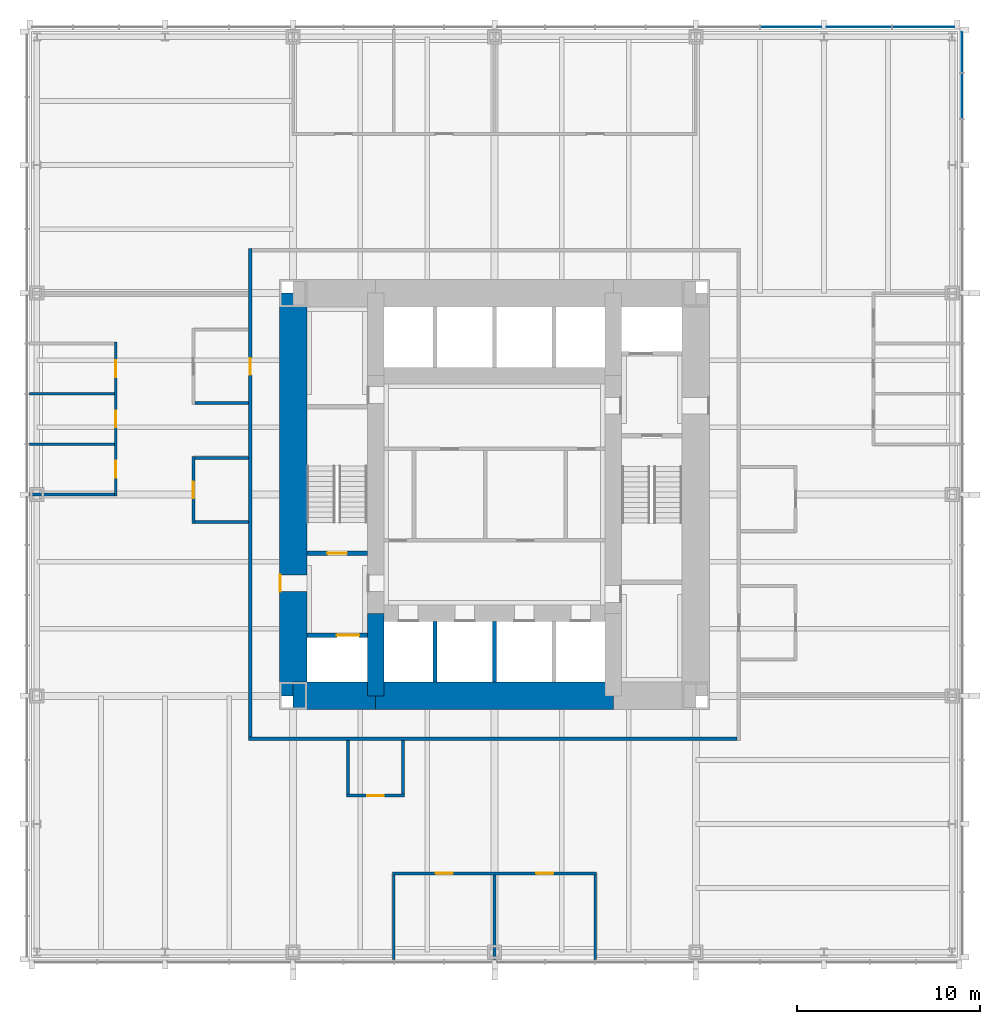
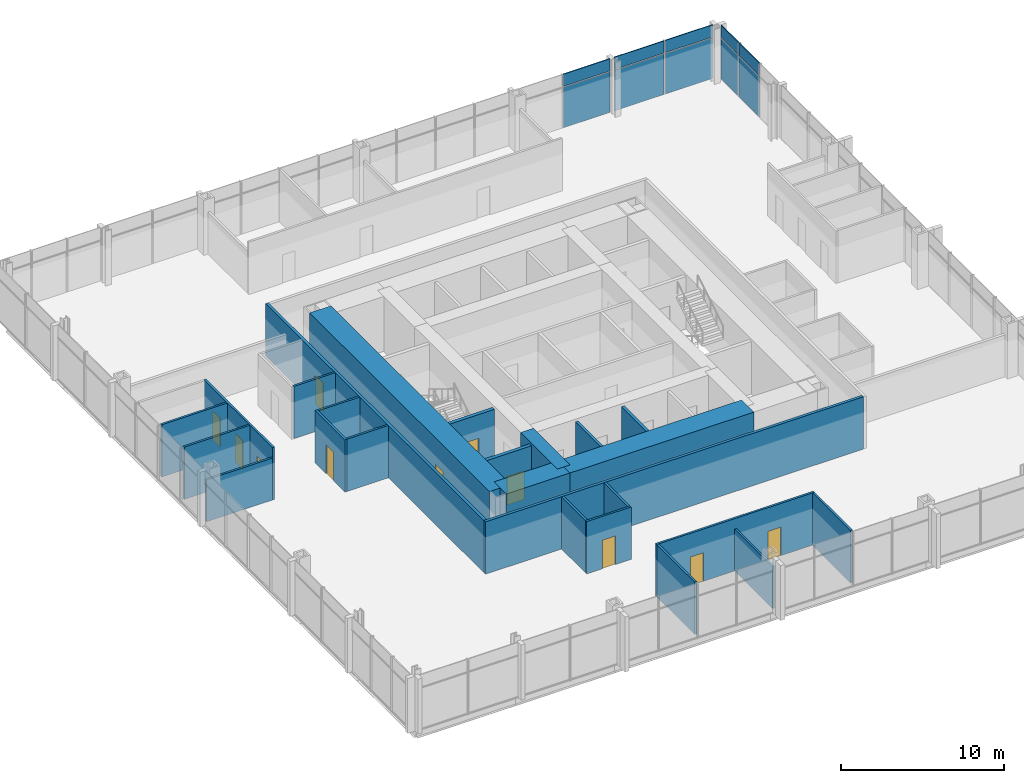
# One storey, part 9 of 12: 25 walls, 11 doors, 10 plates, 11 openings, 2 elements without a shape of their own.
"""IFC4 building model written with IfcOpenShell, lengths in metres."""

from ifc_helpers import new_model, si_unit, direction, frame, frame_2d, origin, origin_2d, place, context, subcontext, project, spatial, rectangle, extrude, material, layer, layer_set, type_object, element, fill, aggregate, save


model = new_model("IFC4")

# Units and contexts
model_context = context("Model", 3, precision=1e-05, world=origin(), true_north=direction((0.0, 1.0)))
body_context = subcontext(model_context, "Body", "Model", "MODEL_VIEW")
ifc_project = project(units=[si_unit("LENGTHUNIT", "METRE"), si_unit("AREAUNIT", "SQUARE_METRE"), si_unit("VOLUMEUNIT", "CUBIC_METRE"), si_unit("PLANEANGLEUNIT", "RADIAN"), si_unit("MASSUNIT", "GRAM", prefix="KILO")], contexts=[model_context])

# Site, building, storey
site_placement = place(None, origin())
site = spatial("IfcSite", under=ifc_project, at=site_placement, CompositionType="ELEMENT")
building_placement = place(site_placement, origin())
building = spatial("IfcBuilding", under=site, at=building_placement, Name="Trevanion Tower", CompositionType="ELEMENT")
storey_placement = place(building_placement, frame((0.0, 0.0, 65.199951171875)))
storey = spatial("IfcBuildingStorey", under=building, at=storey_placement, Name="L15", CompositionType="ELEMENT", Elevation=65.199951171875)

# Curtain wall, plates
ifc_material_1 = material(Name="Aluminium and glass", Category="aluminium")
curtain_wall_type = type_object("IfcCurtainWallType", Name="CW1 curtain wall", PredefinedType="USERDEFINED", material=ifc_material_1)
curtain_wall_1_placement = place(storey_placement, origin())
curtain_wall_1 = element("IfcCurtainWall", 1, at=curtain_wall_1_placement, inside=storey, type_object=curtain_wall_type, Name="CW1 L15 0", ObjectType="UNITISED CURTAIN WALL", PredefinedType="USERDEFINED")
ifc_material_2 = material(Name="Aluminium spandrel panel", Category="aluminium")
ifc_layer_1 = layer(ifc_material_2, 0.06005859375)
ifc_layer_set_1 = layer_set([ifc_layer_1], Name="CW1 spandrel panel")
plate_type_1 = type_object("IfcPlateType", Name="CW1 spandrel panel", PredefinedType="CURTAIN_PANEL", material=ifc_layer_set_1)
plate_1_placement = place(storey_placement, frame((25.550048828125, 21.77490234375, 2.99755859375), z_axis=(0.0, 0.0, 1.0), x_axis=(0.0, 1.0, 0.0)))
plate_1 = element("IfcPlate", 2, at=plate_1_placement, type_object=plate_type_1, Name="CW1 panel 16.2", PredefinedType="CURTAIN_PANEL", context=body_context, shape_type="SweptSolid", body=[
    extrude(rectangle(XDim=2.441650390625, YDim=0.06005859375, at=origin_2d()), origin(), (0.0, 0.0, 1.0), 0.91259765625),
])
plate_2_placement = place(storey_placement, frame((25.550048828125, 24.160400390625, 2.99755859375), z_axis=(0.0, 0.0, 1.0), x_axis=(0.0, 1.0, 0.0)))
plate_2 = element("IfcPlate", 3, at=plate_2_placement, type_object=plate_type_1, Name="CW1 panel 17.2", PredefinedType="CURTAIN_PANEL", context=body_context, shape_type="SweptSolid", body=[
    extrude(rectangle(XDim=2.17919921875, YDim=0.06005859375, at=origin_2d()), origin(), (0.0, 0.0, 1.0), 0.91259765625),
])

curtain_wall_2_placement = place(storey_placement, origin())
curtain_wall_2 = element("IfcCurtainWall", 4, at=curtain_wall_2_placement, inside=storey, type_object=curtain_wall_type, Name="CW1 L15 1", ObjectType="UNITISED CURTAIN WALL", PredefinedType="USERDEFINED")
plate_3_placement = place(storey_placement, frame((23.433837890625, 25.550048828125, 2.99755859375), z_axis=(0.0, 0.0, 1.0), x_axis=(-1.0, 0.0, 0.0)))
plate_3 = element("IfcPlate", 5, at=plate_3_placement, type_object=plate_type_1, Name="CW1 panel 1.2", PredefinedType="CURTAIN_PANEL", context=body_context, shape_type="SweptSolid", body=[
    extrude(rectangle(XDim=3.37255859375, YDim=0.06005859375, at=origin_2d()), origin(), (0.0, 0.0, 1.0), 0.91259765625),
])
plate_4_placement = place(storey_placement, frame((19.911376953125, 25.550048828125, 2.99755859375), z_axis=(0.0, 0.0, 1.0), x_axis=(-1.0, 0.0, 0.0)))
plate_4 = element("IfcPlate", 6, at=plate_4_placement, type_object=plate_type_1, Name="CW1 panel 2.2", PredefinedType="CURTAIN_PANEL", context=body_context, shape_type="SweptSolid", body=[
    extrude(rectangle(XDim=3.5224609375, YDim=0.06005859375, at=origin_2d()), origin(), (0.0, 0.0, 1.0), 0.91259765625),
])
plate_5_placement = place(storey_placement, frame((16.19384765625, 25.550048828125, 2.99755859375), z_axis=(0.0, 0.0, 1.0), x_axis=(-1.0, 0.0, 0.0)))
plate_5 = element("IfcPlate", 7, at=plate_5_placement, type_object=plate_type_1, Name="CW1 panel 3.2", PredefinedType="CURTAIN_PANEL", context=body_context, shape_type="SweptSolid", body=[
    extrude(rectangle(XDim=3.3125, YDim=0.06005859375, at=origin_2d()), origin(), (0.0, 0.0, 1.0), 0.91259765625),
])

# Plate
ifc_material_3 = material(Name="Insulating glass unit", Category="glass")
ifc_layer_2 = layer(ifc_material_3, 0.028076171875)
ifc_layer_set_2 = layer_set([ifc_layer_2], Name="CW1 vision panel")
plate_type_2 = type_object("IfcPlateType", Name="CW1 vision panel", PredefinedType="CURTAIN_PANEL", material=ifc_layer_set_2)
plate_6_placement = place(storey_placement, frame((25.550048828125, 21.77490234375, -0.114990234375), z_axis=(0.0, 0.0, 1.0), x_axis=(0.0, 1.0, 0.0)))
plate_6 = element("IfcPlate", 8, at=plate_6_placement, type_object=plate_type_2, Name="CW1 panel 16.1", PredefinedType="CURTAIN_PANEL", context=body_context, shape_type="SweptSolid", body=[
    extrude(rectangle(XDim=2.441650390625, YDim=0.028076171875, at=origin_2d()), origin(), (0.0, 0.0, 1.0), 3.03759765625),
])

plate_7_placement = place(storey_placement, frame((25.550048828125, 24.160400390625, -0.114990234375), z_axis=(0.0, 0.0, 1.0), x_axis=(0.0, 1.0, 0.0)))
plate_7 = element("IfcPlate", 9, at=plate_7_placement, type_object=plate_type_2, Name="CW1 panel 17.1", PredefinedType="CURTAIN_PANEL", context=body_context, shape_type="SweptSolid", body=[
    extrude(rectangle(XDim=2.17919921875, YDim=0.028076171875, at=origin_2d()), origin(), (0.0, 0.0, 1.0), 3.03759765625),
])

aggregate(curtain_wall_1, [plate_6, plate_1, plate_7, plate_2])

plate_8_placement = place(storey_placement, frame((23.433837890625, 25.550048828125, -0.114990234375), z_axis=(0.0, 0.0, 1.0), x_axis=(-1.0, 0.0, 0.0)))
plate_8 = element("IfcPlate", 10, at=plate_8_placement, type_object=plate_type_2, Name="CW1 panel 1.1", PredefinedType="CURTAIN_PANEL", context=body_context, shape_type="SweptSolid", body=[
    extrude(rectangle(XDim=3.37255859375, YDim=0.028076171875, at=origin_2d()), origin(), (0.0, 0.0, 1.0), 3.03759765625),
])

plate_9_placement = place(storey_placement, frame((19.911376953125, 25.550048828125, -0.114990234375), z_axis=(0.0, 0.0, 1.0), x_axis=(-1.0, 0.0, 0.0)))
plate_9 = element("IfcPlate", 11, at=plate_9_placement, type_object=plate_type_2, Name="CW1 panel 2.1", PredefinedType="CURTAIN_PANEL", context=body_context, shape_type="SweptSolid", body=[
    extrude(rectangle(XDim=3.5224609375, YDim=0.028076171875, at=origin_2d()), origin(), (0.0, 0.0, 1.0), 3.03759765625),
])

plate_10_placement = place(storey_placement, frame((16.19384765625, 25.550048828125, -0.114990234375), z_axis=(0.0, 0.0, 1.0), x_axis=(-1.0, 0.0, 0.0)))
plate_10 = element("IfcPlate", 12, at=plate_10_placement, type_object=plate_type_2, Name="CW1 panel 3.1", PredefinedType="CURTAIN_PANEL", context=body_context, shape_type="SweptSolid", body=[
    extrude(rectangle(XDim=3.3125, YDim=0.028076171875, at=origin_2d()), origin(), (0.0, 0.0, 1.0), 3.03759765625),
])

aggregate(curtain_wall_2, [plate_8, plate_3, plate_9, plate_4, plate_10, plate_5])

# Wall, opening, door
ifc_material_4 = material(Name="Concrete 10,000 psi", Category="concrete")
ifc_layer_3 = layer(ifc_material_4, 1.5)
ifc_layer_set_3 = layer_set([ifc_layer_3], Name="CW1 core wall 1500")
wall_type_1 = type_object("IfcWallType", Name="CW1 core wall 1500", PredefinedType="SHEAR", material=ifc_layer_set_3)
wall_1_placement = place(storey_placement, frame((-11.0, 11.0, 0.0), z_axis=(0.0, 0.0, 1.0), x_axis=(0.0, -1.0, 0.0)))
wall_1 = element("IfcWall", 13, at=wall_1_placement, inside=storey, type_object=wall_type_1, Name="CW1 CW L15", PredefinedType="SHEAR", context=body_context, shape_type="SweptSolid", body=[
    extrude(rectangle(XDim=22.0, YDim=1.5, at=frame_2d((11.0, 0.0))), origin(), (0.0, 0.0, 1.0), 4.10009765625),
])
opening_1_placement = place(wall_1_placement, frame((15.392578125, 0.0, 0.0)))
opening_1 = element("IfcOpeningElement", 14, at=opening_1_placement, cuts=wall_1, Name="Opening 15-002", PredefinedType="OPENING", context=body_context, shape_type="SweptSolid", body=[
    extrude(rectangle(XDim=0.9150390625, YDim=2.134033203125, at=frame_2d((0.45751953125, 1.06689453125))), frame((0.0, 0.760009765625, 0.0), z_axis=(0.0, -1.0, 0.0), x_axis=(1.0, 0.0, 0.0)), (0.0, 0.0, 1.0), 1.52001953125),
])
ifc_material_5 = material(Name="Hollow metal, fire rated", Category="steel")
door_type_1 = type_object("IfcDoorType", Name="D3 fire lift lobby door", OperationType="SINGLE_SWING_RIGHT", PredefinedType="DOOR", material=ifc_material_5)
door_1_placement = place(opening_1_placement, origin())
door_1 = element("IfcDoor", 15, at=door_1_placement, inside=storey, type_object=door_type_1, Name="Door 15-002", OperationType="SINGLE_SWING_RIGHT", OverallHeight=2.134033203125, OverallWidth=0.9150390625, PredefinedType="DOOR", context=body_context, shape_type="SweptSolid", body=[
    extrude(rectangle(XDim=0.9150390625, YDim=2.134033203125, at=frame_2d((0.45751953125, 1.06689453125))), frame((0.0, -0.6748046875, 0.0), z_axis=(0.0, -1.0, 0.0), x_axis=(1.0, 0.0, 0.0)), (0.0, 0.0, 1.0), 0.050048828125),
])
fill(opening_1, door_1)

# Walls
wall_2_placement = place(storey_placement, frame((-11.0, -11.0, 0.0), z_axis=(0.0, 0.0, 1.0), x_axis=(1.0, 0.0, 0.0)))
element("IfcWall", 16, at=wall_2_placement, inside=storey, type_object=wall_type_1, Name="CW1 CS1 L15", PredefinedType="SHEAR", context=body_context, shape_type="SweptSolid", body=[
    extrude(rectangle(XDim=4.5, YDim=1.5, at=frame_2d((2.25, 0.0))), origin(), (0.0, 0.0, 1.0), 4.10009765625),
])
wall_3_placement = place(storey_placement, frame((-6.5, -11.0, 0.0), z_axis=(0.0, 0.0, 1.0), x_axis=(1.0, 0.0, 0.0)))
element("IfcWall", 17, at=wall_3_placement, inside=storey, type_object=wall_type_1, Name="CW1 CS2 L15", PredefinedType="SHEAR", context=body_context, shape_type="SweptSolid", body=[
    extrude(rectangle(XDim=13.0, YDim=1.5, at=frame_2d((6.5, 0.0))), origin(), (0.0, 0.0, 1.0), 4.10009765625),
])
ifc_material_6 = material(Name="Concrete 10,000 psi", Category="concrete")
ifc_layer_4 = layer(ifc_material_6, 0.89990234375)
ifc_layer_set_4 = layer_set([ifc_layer_4], Name="CW2 core wall 900")
wall_type_2 = type_object("IfcWallType", Name="CW2 core wall 900", PredefinedType="SHEAR", material=ifc_layer_set_4)
wall_4_placement = place(storey_placement, frame((-6.5, -6.5, 0.0), z_axis=(0.0, 0.0, 1.0), x_axis=(0.0, -1.0, 0.0)))
element("IfcWall", 18, at=wall_4_placement, inside=storey, type_object=wall_type_2, Name="CW2 RW3 L15", PredefinedType="SHEAR", context=body_context, shape_type="SweptSolid", body=[
    extrude(rectangle(XDim=4.5, YDim=0.89990234375, at=frame_2d((2.25, 0.0))), origin(), (0.0, 0.0, 1.0), 4.10009765625),
])

# Wall, openings, doors
ifc_material_7 = material(Name="Gypsum board on steel studs", Category="steel")
ifc_layer_5 = layer(ifc_material_7, 0.14990234375)
ifc_layer_set_5 = layer_set([ifc_layer_5], Name="PT1 partition 150")
wall_type_3 = type_object("IfcWallType", Name="PT1 partition 150", PredefinedType="PARTITIONING", material=ifc_layer_set_5)
wall_5_placement = place(storey_placement, frame((-5.574951171875, -20.699951171875, 0.0), z_axis=(0.0, 0.0, 1.0), x_axis=(1.0, 0.0, 0.0)))
wall_5 = element("IfcWall", 19, at=wall_5_placement, inside=storey, type_object=wall_type_3, Name="PT1 L15 FC3F", PredefinedType="PARTITIONING", context=body_context, shape_type="SweptSolid", body=[
    extrude(rectangle(XDim=11.14990234375, YDim=0.14990234375, at=frame_2d((5.574951171875, 0.0))), origin(), (0.0, 0.0, 1.0), 3.91015625),
])
opening_2_placement = place(wall_5_placement, frame((2.367431640625, 0.0, 0.0)))
opening_2 = element("IfcOpeningElement", 20, at=opening_2_placement, cuts=wall_5, Name="Opening 15-022", PredefinedType="OPENING", context=body_context, shape_type="SweptSolid", body=[
    extrude(rectangle(XDim=0.9150390625, YDim=2.134033203125, at=frame_2d((0.45751953125, 1.06689453125))), frame((0.0, 0.0849609375, 0.0), z_axis=(0.0, -1.0, 0.0), x_axis=(1.0, 0.0, 0.0)), (0.0, 0.0, 1.0), 0.169921875),
])
opening_3_placement = place(wall_5_placement, frame((7.867431640625, 0.0, 0.0)))
opening_3 = element("IfcOpeningElement", 21, at=opening_3_placement, cuts=wall_5, Name="Opening 15-023", PredefinedType="OPENING", context=body_context, shape_type="SweptSolid", body=[
    extrude(rectangle(XDim=0.9150390625, YDim=2.134033203125, at=frame_2d((0.45751953125, 1.06689453125))), frame((0.0, 0.0849609375, 0.0), z_axis=(0.0, -1.0, 0.0), x_axis=(1.0, 0.0, 0.0)), (0.0, 0.0, 1.0), 0.169921875),
])
ifc_material_8 = material(Name="Timber veneer, solid core", Category="wood")
door_type_2 = type_object("IfcDoorType", Name="D1 office and meeting room door", OperationType="SINGLE_SWING_LEFT", PredefinedType="DOOR", material=ifc_material_8)
door_2_placement = place(opening_2_placement, origin())
door_2 = element("IfcDoor", 22, at=door_2_placement, inside=storey, type_object=door_type_2, Name="Door 15-022", OperationType="SINGLE_SWING_LEFT", OverallHeight=2.134033203125, OverallWidth=0.9150390625, PredefinedType="DOOR", context=body_context, shape_type="SweptSolid", body=[
    extrude(rectangle(XDim=0.9150390625, YDim=2.134033203125, at=frame_2d((0.45751953125, 1.06689453125))), frame((0.0, 0.02490234375, 0.0), z_axis=(0.0, -1.0, 0.0), x_axis=(1.0, 0.0, 0.0)), (0.0, 0.0, 1.0), 0.050048828125),
])
fill(opening_2, door_2)
door_3_placement = place(opening_3_placement, origin())
door_3 = element("IfcDoor", 23, at=door_3_placement, inside=storey, type_object=door_type_2, Name="Door 15-023", OperationType="SINGLE_SWING_LEFT", OverallHeight=2.134033203125, OverallWidth=0.9150390625, PredefinedType="DOOR", context=body_context, shape_type="SweptSolid", body=[
    extrude(rectangle(XDim=0.9150390625, YDim=2.134033203125, at=frame_2d((0.45751953125, 1.06689453125))), frame((0.0, 0.02490234375, 0.0), z_axis=(0.0, -1.0, 0.0), x_axis=(1.0, 0.0, 0.0)), (0.0, 0.0, 1.0), 0.050048828125),
])
fill(opening_3, door_3)

# Walls
wall_6_placement = place(storey_placement, frame((-5.5, -20.77490234375, 0.0), z_axis=(0.0, 0.0, 1.0), x_axis=(0.0, -1.0, 0.0)))
element("IfcWall", 24, at=wall_6_placement, inside=storey, type_object=wall_type_3, Name="PT1 L15 FC3S0", PredefinedType="PARTITIONING", context=body_context, shape_type="SweptSolid", body=[
    extrude(rectangle(XDim=4.64013671875, YDim=0.14990234375, at=frame_2d((2.320068359375, 0.0))), origin(), (0.0, 0.0, 1.0), 3.91015625),
])
wall_7_placement = place(storey_placement, frame((0.0, -20.77490234375, 0.0), z_axis=(0.0, 0.0, 1.0), x_axis=(0.0, -1.0, 0.0)))
element("IfcWall", 25, at=wall_7_placement, inside=storey, type_object=wall_type_3, Name="PT1 L15 FC3S2", PredefinedType="PARTITIONING", context=body_context, shape_type="SweptSolid", body=[
    extrude(rectangle(XDim=4.64013671875, YDim=0.14990234375, at=frame_2d((2.320068359375, 0.0))), origin(), (0.0, 0.0, 1.0), 3.130126953125),
])
wall_8_placement = place(storey_placement, frame((5.5, -20.77490234375, 0.0), z_axis=(0.0, 0.0, 1.0), x_axis=(0.0, -1.0, 0.0)))
element("IfcWall", 26, at=wall_8_placement, inside=storey, type_object=wall_type_3, Name="PT1 L15 FC3S4", PredefinedType="PARTITIONING", context=body_context, shape_type="SweptSolid", body=[
    extrude(rectangle(XDim=4.64013671875, YDim=0.14990234375, at=frame_2d((2.320068359375, 0.0))), origin(), (0.0, 0.0, 1.0), 3.91015625),
])

# Wall, openings, doors
wall_9_placement = place(storey_placement, frame((-20.699951171875, 8.324951171875, 0.0), z_axis=(0.0, 0.0, 1.0), x_axis=(0.0, -1.0, 0.0)))
wall_9 = element("IfcWall", 27, at=wall_9_placement, inside=storey, type_object=wall_type_3, Name="PT1 L15 FC2F", PredefinedType="PARTITIONING", context=body_context, shape_type="SweptSolid", body=[
    extrude(rectangle(XDim=8.39990234375, YDim=0.14990234375, at=frame_2d((4.199951171875, 0.0))), origin(), (0.0, 0.0, 1.0), 3.91015625),
])
opening_4_placement = place(wall_9_placement, frame((0.992431640625, 0.0, 0.0)))
opening_4 = element("IfcOpeningElement", 28, at=opening_4_placement, cuts=wall_9, Name="Opening 15-027", PredefinedType="OPENING", context=body_context, shape_type="SweptSolid", body=[
    extrude(rectangle(XDim=0.9150390625, YDim=2.134033203125, at=frame_2d((0.45751953125, 1.06689453125))), frame((0.0, 0.0849609375, 0.0), z_axis=(0.0, -1.0, 0.0), x_axis=(1.0, 0.0, 0.0)), (0.0, 0.0, 1.0), 0.169921875),
])
opening_5_placement = place(wall_9_placement, frame((3.742431640625, 0.0, 0.0)))
opening_5 = element("IfcOpeningElement", 29, at=opening_5_placement, cuts=wall_9, Name="Opening 15-028", PredefinedType="OPENING", context=body_context, shape_type="SweptSolid", body=[
    extrude(rectangle(XDim=0.9150390625, YDim=2.134033203125, at=frame_2d((0.45751953125, 1.06689453125))), frame((0.0, 0.0849609375, 0.0), z_axis=(0.0, -1.0, 0.0), x_axis=(1.0, 0.0, 0.0)), (0.0, 0.0, 1.0), 0.169921875),
])
opening_6_placement = place(wall_9_placement, frame((6.492431640625, 0.0, 0.0)))
opening_6 = element("IfcOpeningElement", 30, at=opening_6_placement, cuts=wall_9, Name="Opening 15-029", PredefinedType="OPENING", context=body_context, shape_type="SweptSolid", body=[
    extrude(rectangle(XDim=0.9150390625, YDim=2.134033203125, at=frame_2d((0.45751953125, 1.06689453125))), frame((0.0, 0.0849609375, 0.0), z_axis=(0.0, -1.0, 0.0), x_axis=(1.0, 0.0, 0.0)), (0.0, 0.0, 1.0), 0.169921875),
])
door_4_placement = place(opening_4_placement, origin())
door_4 = element("IfcDoor", 31, at=door_4_placement, inside=storey, type_object=door_type_2, Name="Door 15-027", OperationType="SINGLE_SWING_LEFT", OverallHeight=2.134033203125, OverallWidth=0.9150390625, PredefinedType="DOOR", context=body_context, shape_type="SweptSolid", body=[
    extrude(rectangle(XDim=0.9150390625, YDim=2.134033203125, at=frame_2d((0.45751953125, 1.06689453125))), frame((0.0, 0.02490234375, 0.0), z_axis=(0.0, -1.0, 0.0), x_axis=(1.0, 0.0, 0.0)), (0.0, 0.0, 1.0), 0.050048828125),
])
fill(opening_4, door_4)
door_5_placement = place(opening_5_placement, origin())
door_5 = element("IfcDoor", 32, at=door_5_placement, inside=storey, type_object=door_type_2, Name="Door 15-028", OperationType="SINGLE_SWING_LEFT", OverallHeight=2.134033203125, OverallWidth=0.9150390625, PredefinedType="DOOR", context=body_context, shape_type="SweptSolid", body=[
    extrude(rectangle(XDim=0.9150390625, YDim=2.134033203125, at=frame_2d((0.45751953125, 1.06689453125))), frame((0.0, 0.02490234375, 0.0), z_axis=(0.0, -1.0, 0.0), x_axis=(1.0, 0.0, 0.0)), (0.0, 0.0, 1.0), 0.050048828125),
])
fill(opening_5, door_5)
door_6_placement = place(opening_6_placement, origin())
door_6 = element("IfcDoor", 33, at=door_6_placement, inside=storey, type_object=door_type_2, Name="Door 15-029", OperationType="SINGLE_SWING_LEFT", OverallHeight=2.134033203125, OverallWidth=0.9150390625, PredefinedType="DOOR", context=body_context, shape_type="SweptSolid", body=[
    extrude(rectangle(XDim=0.9150390625, YDim=2.134033203125, at=frame_2d((0.45751953125, 1.06689453125))), frame((0.0, 0.02490234375, 0.0), z_axis=(0.0, -1.0, 0.0), x_axis=(1.0, 0.0, 0.0)), (0.0, 0.0, 1.0), 0.050048828125),
])
fill(opening_6, door_6)

# Walls
for number, where, z_axis, x_axis, name in (
    (34, (-20.77490234375, 5.5, 0.0), (0.0, 0.0, 1.0), (-1.0, 0.0, 0.0), "PT1 L15 FC2S1"),
    (35, (-20.77490234375, 2.75, 0.0), (0.0, 0.0, 1.0), (-1.0, 0.0, 0.0), "PT1 L15 FC2S2"),
):
    element("IfcWall", number, at=place(storey_placement, frame(where, z_axis=z_axis, x_axis=x_axis)), inside=storey, type_object=wall_type_3, Name=name, PredefinedType="PARTITIONING", context=body_context, shape_type="SweptSolid", body=[
        extrude(rectangle(XDim=4.64013671875, YDim=0.14990234375, at=frame_2d((2.320068359375, 0.0))), origin(), (0.0, 0.0, 1.0), 3.91015625),
    ])
wall_10_placement = place(storey_placement, frame((-20.77490234375, 0.0, 0.0), z_axis=(0.0, 0.0, 1.0), x_axis=(-1.0, 0.0, 0.0)))
element("IfcWall", 36, at=wall_10_placement, inside=storey, type_object=wall_type_3, Name="PT1 L15 FC2S3", PredefinedType="PARTITIONING", context=body_context, shape_type="SweptSolid", body=[
    extrude(rectangle(XDim=4.64013671875, YDim=0.14990234375, at=frame_2d((2.320068359375, 0.0))), origin(), (0.0, 0.0, 1.0), 3.130126953125),
])
wall_11_placement = place(storey_placement, frame((-16.375, 5.0, 0.0), z_axis=(0.0, 0.0, 1.0), x_axis=(1.0, 0.0, 0.0)))
element("IfcWall", 37, at=wall_11_placement, inside=storey, type_object=wall_type_3, Name="PT1 L15 IN20S1", PredefinedType="PARTITIONING", context=body_context, shape_type="SweptSolid", body=[
    extrude(rectangle(XDim=2.925048828125, YDim=0.14990234375, at=frame_2d((1.46240234375, 0.0))), origin(), (0.0, 0.0, 1.0), 3.91015625),
])

# Wall, opening, door
wall_12_placement = place(storey_placement, frame((-16.449951171875, 2.074951171875, 0.0), z_axis=(0.0, 0.0, 1.0), x_axis=(0.0, -1.0, 0.0)))
wall_12 = element("IfcWall", 38, at=wall_12_placement, inside=storey, type_object=wall_type_3, Name="PT1 L15 IN21F", PredefinedType="PARTITIONING", context=body_context, shape_type="SweptSolid", body=[
    extrude(rectangle(XDim=3.64990234375, YDim=0.14990234375, at=frame_2d((1.824951171875, 0.0))), origin(), (0.0, 0.0, 1.0), 3.91015625),
])
opening_7_placement = place(wall_12_placement, frame((1.367431640625, 0.0, 0.0)))
opening_7 = element("IfcOpeningElement", 39, at=opening_7_placement, cuts=wall_12, Name="Opening 15-035", PredefinedType="OPENING", context=body_context, shape_type="SweptSolid", body=[
    extrude(rectangle(XDim=0.9150390625, YDim=2.134033203125, at=frame_2d((0.45751953125, 1.06689453125))), frame((0.0, 0.0849609375, 0.0), z_axis=(0.0, -1.0, 0.0), x_axis=(1.0, 0.0, 0.0)), (0.0, 0.0, 1.0), 0.169921875),
])
door_7_placement = place(opening_7_placement, origin())
door_7 = element("IfcDoor", 40, at=door_7_placement, inside=storey, type_object=door_type_2, Name="Door 15-035", OperationType="SINGLE_SWING_LEFT", OverallHeight=2.134033203125, OverallWidth=0.9150390625, PredefinedType="DOOR", context=body_context, shape_type="SweptSolid", body=[
    extrude(rectangle(XDim=0.9150390625, YDim=2.134033203125, at=frame_2d((0.45751953125, 1.06689453125))), frame((0.0, 0.02490234375, 0.0), z_axis=(0.0, -1.0, 0.0), x_axis=(1.0, 0.0, 0.0)), (0.0, 0.0, 1.0), 0.050048828125),
])
fill(opening_7, door_7)

# Walls
for number, where, z_axis, x_axis, name in (
    (41, (-16.375, 2.0, 0.0), (0.0, 0.0, 1.0), (1.0, 0.0, 0.0), "PT1 L15 IN21S0"),
    (42, (-16.375, -1.5, 0.0), (0.0, 0.0, 1.0), (1.0, 0.0, 0.0), "PT1 L15 IN21S1"),
):
    element("IfcWall", number, at=place(storey_placement, frame(where, z_axis=z_axis, x_axis=x_axis)), inside=storey, type_object=wall_type_3, Name=name, PredefinedType="PARTITIONING", context=body_context, shape_type="SweptSolid", body=[
        extrude(rectangle(XDim=2.925048828125, YDim=0.14990234375, at=frame_2d((1.46240234375, 0.0))), origin(), (0.0, 0.0, 1.0), 3.91015625),
    ])

# Wall, opening, door
wall_13_placement = place(storey_placement, frame((-8.074951171875, -16.449951171875, 0.0), z_axis=(0.0, 0.0, 1.0), x_axis=(1.0, 0.0, 0.0)))
wall_13 = element("IfcWall", 43, at=wall_13_placement, inside=storey, type_object=wall_type_3, Name="PT1 L15 IN30F", PredefinedType="PARTITIONING", context=body_context, shape_type="SweptSolid", body=[
    extrude(rectangle(XDim=3.14990234375, YDim=0.14990234375, at=frame_2d((1.574951171875, 0.0))), origin(), (0.0, 0.0, 1.0), 3.91015625),
])
opening_8_placement = place(wall_13_placement, frame((1.117431640625, 0.0, 0.0)))
opening_8 = element("IfcOpeningElement", 44, at=opening_8_placement, cuts=wall_13, Name="Opening 15-036", PredefinedType="OPENING", context=body_context, shape_type="SweptSolid", body=[
    extrude(rectangle(XDim=0.9150390625, YDim=2.134033203125, at=frame_2d((0.45751953125, 1.06689453125))), frame((0.0, 0.0849609375, 0.0), z_axis=(0.0, -1.0, 0.0), x_axis=(1.0, 0.0, 0.0)), (0.0, 0.0, 1.0), 0.169921875),
])
door_8_placement = place(opening_8_placement, origin())
door_8 = element("IfcDoor", 45, at=door_8_placement, inside=storey, type_object=door_type_2, Name="Door 15-036", OperationType="SINGLE_SWING_LEFT", OverallHeight=2.134033203125, OverallWidth=0.9150390625, PredefinedType="DOOR", context=body_context, shape_type="SweptSolid", body=[
    extrude(rectangle(XDim=0.9150390625, YDim=2.134033203125, at=frame_2d((0.45751953125, 1.06689453125))), frame((0.0, 0.02490234375, 0.0), z_axis=(0.0, -1.0, 0.0), x_axis=(1.0, 0.0, 0.0)), (0.0, 0.0, 1.0), 0.050048828125),
])
fill(opening_8, door_8)

# Walls
for number, where, z_axis, x_axis, name in (
    (46, (-8.0, -16.375, 0.0), (0.0, 0.0, 1.0), (0.0, 1.0, 0.0), "PT1 L15 IN30S0"),
    (47, (-5.0, -16.375, 0.0), (0.0, 0.0, 1.0), (0.0, 1.0, 0.0), "PT1 L15 IN30S1"),
):
    element("IfcWall", number, at=place(storey_placement, frame(where, z_axis=z_axis, x_axis=x_axis)), inside=storey, type_object=wall_type_3, Name=name, PredefinedType="PARTITIONING", context=body_context, shape_type="SweptSolid", body=[
        extrude(rectangle(XDim=2.925048828125, YDim=0.14990234375, at=frame_2d((1.46240234375, 0.0))), origin(), (0.0, 0.0, 1.0), 3.91015625),
    ])

# Wall, opening, door
ifc_material_9 = material(Name="Concrete masonry, grouted", Category="masonry")
ifc_layer_6 = layer(ifc_material_9, 0.199951171875)
ifc_layer_set_6 = layer_set([ifc_layer_6], Name="PT2 partition 200 1 HR")
wall_type_4 = type_object("IfcWallType", Name="PT2 partition 200 1 HR", PredefinedType="PARTITIONING", material=ifc_layer_set_6)
wall_14_placement = place(storey_placement, frame((-13.35009765625, 13.449951171875, 0.0), z_axis=(0.0, 0.0, 1.0), x_axis=(0.0, -1.0, 0.0)))
wall_14 = element("IfcWall", 48, at=wall_14_placement, inside=storey, type_object=wall_type_4, Name="PT2 L15 OC2", PredefinedType="PARTITIONING", context=body_context, shape_type="SweptSolid", body=[
    extrude(rectangle(XDim=26.699951171875, YDim=0.199951171875, at=frame_2d((13.35009765625, 0.0))), origin(), (0.0, 0.0, 1.0), 3.91015625),
])
opening_9_placement = place(wall_14_placement, frame((5.992431640625, 0.0, 0.0)))
opening_9 = element("IfcOpeningElement", 49, at=opening_9_placement, cuts=wall_14, Name="Opening 15-034", PredefinedType="OPENING", context=body_context, shape_type="SweptSolid", body=[
    extrude(rectangle(XDim=0.9150390625, YDim=2.134033203125, at=frame_2d((0.45751953125, 1.06689453125))), frame((0.0, 0.10986328125, 0.0), z_axis=(0.0, -1.0, 0.0), x_axis=(1.0, 0.0, 0.0)), (0.0, 0.0, 1.0), 0.219970703125),
])
ifc_material_10 = material(Name="Timber veneer, fire rated", Category="wood")
door_type_3 = type_object("IfcDoorType", Name="D10 office door in a one hour wall", OperationType="SINGLE_SWING_LEFT", PredefinedType="DOOR", material=ifc_material_10)
door_9_placement = place(opening_9_placement, origin())
door_9 = element("IfcDoor", 50, at=door_9_placement, inside=storey, type_object=door_type_3, Name="Door 15-034", OperationType="SINGLE_SWING_LEFT", OverallHeight=2.134033203125, OverallWidth=0.9150390625, PredefinedType="DOOR", context=body_context, shape_type="SweptSolid", body=[
    extrude(rectangle(XDim=0.9150390625, YDim=2.134033203125, at=frame_2d((0.45751953125, 1.06689453125))), frame((0.0, 0.02490234375, 0.0), z_axis=(0.0, -1.0, 0.0), x_axis=(1.0, 0.0, 0.0)), (0.0, 0.0, 1.0), 0.050048828125),
])
fill(opening_9, door_9)

# Walls
wall_15_placement = place(storey_placement, frame((-13.449951171875, -13.35009765625, 0.0), z_axis=(0.0, 0.0, 1.0), x_axis=(1.0, 0.0, 0.0)))
element("IfcWall", 51, at=wall_15_placement, inside=storey, type_object=wall_type_4, Name="PT2 L15 OC3", PredefinedType="PARTITIONING", context=body_context, shape_type="SweptSolid", body=[
    extrude(rectangle(XDim=26.699951171875, YDim=0.199951171875, at=frame_2d((13.35009765625, 0.0))), origin(), (0.0, 0.0, 1.0), 3.91015625),
])
ifc_material_11 = material(Name="Concrete masonry, grouted", Category="masonry")
ifc_layer_7 = layer(ifc_material_11, 0.199951171875)
ifc_layer_set_7 = layer_set([ifc_layer_7], Name="PT2 partition 200 2 HR")
wall_type_5 = type_object("IfcWallType", Name="PT2 partition 200 2 HR", PredefinedType="PARTITIONING", material=ifc_layer_set_7)
for number, where, z_axis, x_axis, name in (
    (52, (-3.25, -10.25, 0.0), (0.0, 0.0, 1.0), (0.0, 1.0, 0.0), "PT2 L15 SS0"),
    (53, (0.0, -10.25, 0.0), (0.0, 0.0, 1.0), (0.0, 1.0, 0.0), "PT2 L15 SS1"),
):
    element("IfcWall", number, at=place(storey_placement, frame(where, z_axis=z_axis, x_axis=x_axis)), inside=storey, type_object=wall_type_5, Name=name, PredefinedType="PARTITIONING", context=body_context, shape_type="SweptSolid", body=[
        extrude(rectangle(XDim=3.300048828125, YDim=0.199951171875, at=frame_2d((1.64990234375, 0.0))), origin(), (0.0, 0.0, 1.0), 3.91015625),
    ])

# Wall, opening, door
ifc_material_12 = material(Name="Concrete masonry, grouted, two-hour", Category="masonry")
ifc_layer_8 = layer(ifc_material_12, 0.25)
ifc_layer_set_8 = layer_set([ifc_layer_8], Name="PT3 partition 250 2 HR")
wall_type_6 = type_object("IfcWallType", Name="PT3 partition 250 2 HR", PredefinedType="PARTITIONING", material=ifc_layer_set_8)
wall_16_placement = place(storey_placement, frame((-6.949951171875, -7.699951171875, 0.0), z_axis=(0.0, 0.0, 1.0), x_axis=(-1.0, 0.0, 0.0)))
wall_16 = element("IfcWall", 54, at=wall_16_placement, inside=storey, type_object=wall_type_6, Name="PT3 L15 WP3", PredefinedType="PARTITIONING", context=body_context, shape_type="SweptSolid", body=[
    extrude(rectangle(XDim=3.300048828125, YDim=0.25, at=frame_2d((1.64990234375, 0.0))), origin(), (0.0, 0.0, 1.0), 3.91015625),
])
opening_10_placement = place(wall_16_placement, frame((0.449951171875, 0.0, 0.0)))
opening_10 = element("IfcOpeningElement", 55, at=opening_10_placement, cuts=wall_16, Name="Opening 15-008", PredefinedType="OPENING", context=body_context, shape_type="SweptSolid", body=[
    extrude(rectangle(XDim=1.218994140625, YDim=2.134033203125, at=frame_2d((0.609375, 1.06689453125))), frame((0.0, 0.135009765625, 0.0), z_axis=(0.0, -1.0, 0.0), x_axis=(1.0, 0.0, 0.0)), (0.0, 0.0, 1.0), 0.27001953125),
])
ifc_material_13 = material(Name="Stainless steel, fire rated", Category="steel")
door_type_4 = type_object("IfcDoorType", Name="LD2 fire service lift landing door", OperationType="SLIDING_TO_LEFT", PredefinedType="DOOR", material=ifc_material_13)
door_10_placement = place(opening_10_placement, origin())
door_10 = element("IfcDoor", 56, at=door_10_placement, inside=storey, type_object=door_type_4, Name="Door 15-008", OperationType="SLIDING_TO_LEFT", OverallHeight=2.134033203125, OverallWidth=1.218994140625, PredefinedType="DOOR", context=body_context, shape_type="SweptSolid", body=[
    extrude(rectangle(XDim=1.218994140625, YDim=2.134033203125, at=frame_2d((0.609375, 1.06689453125))), frame((0.0, 0.02490234375, 0.0), z_axis=(0.0, -1.0, 0.0), x_axis=(1.0, 0.0, 0.0)), (0.0, 0.0, 1.0), 0.050048828125),
])
fill(opening_10, door_10)

ifc_material_14 = material(Name="Reinforced masonry, fully grouted", Category="masonry")
ifc_layer_9 = layer(ifc_material_14, 0.25)
ifc_layer_set_9 = layer_set([ifc_layer_9], Name="SW1 stair shaft wall 250")
wall_type_7 = type_object("IfcWallType", Name="SW1 stair shaft wall 250", PredefinedType="SOLIDWALL", material=ifc_layer_set_9)
wall_17_placement = place(storey_placement, frame((-6.949951171875, -3.199951171875, 0.0), z_axis=(0.0, 0.0, 1.0), x_axis=(-1.0, 0.0, 0.0)))
wall_17 = element("IfcWall", 57, at=wall_17_placement, inside=storey, type_object=wall_type_7, Name="SW1 L15 WP2", PredefinedType="SOLIDWALL", context=body_context, shape_type="SweptSolid", body=[
    extrude(rectangle(XDim=3.300048828125, YDim=0.25, at=frame_2d((1.64990234375, 0.0))), origin(), (0.0, 0.0, 1.0), 3.91015625),
])
opening_11_placement = place(wall_17_placement, frame((1.116455078125, 0.0, 0.0)))
opening_11 = element("IfcOpeningElement", 58, at=opening_11_placement, cuts=wall_17, Name="Opening 15-006", PredefinedType="OPENING", context=body_context, shape_type="SweptSolid", body=[
    extrude(rectangle(XDim=1.06689453125, YDim=2.134033203125, at=frame_2d((0.533447265625, 1.06689453125))), frame((0.0, 0.135009765625, 0.0), z_axis=(0.0, -1.0, 0.0), x_axis=(1.0, 0.0, 0.0)), (0.0, 0.0, 1.0), 0.27001953125),
])
ifc_material_15 = material(Name="Hollow metal, fire rated", Category="steel")
door_type_5 = type_object("IfcDoorType", Name="D2 exit stair door", OperationType="SINGLE_SWING_LEFT", PredefinedType="DOOR", material=ifc_material_15)
door_11_placement = place(opening_11_placement, origin())
door_11 = element("IfcDoor", 59, at=door_11_placement, inside=storey, type_object=door_type_5, Name="Door 15-006", OperationType="SINGLE_SWING_LEFT", OverallHeight=2.134033203125, OverallWidth=1.06689453125, PredefinedType="DOOR", context=body_context, shape_type="SweptSolid", body=[
    extrude(rectangle(XDim=1.06689453125, YDim=2.134033203125, at=frame_2d((0.533447265625, 1.06689453125))), frame((0.0, 0.02490234375, 0.0), z_axis=(0.0, -1.0, 0.0), x_axis=(1.0, 0.0, 0.0)), (0.0, 0.0, 1.0), 0.050048828125),
])
fill(opening_11, door_11)

save(model, "model.ifc")
